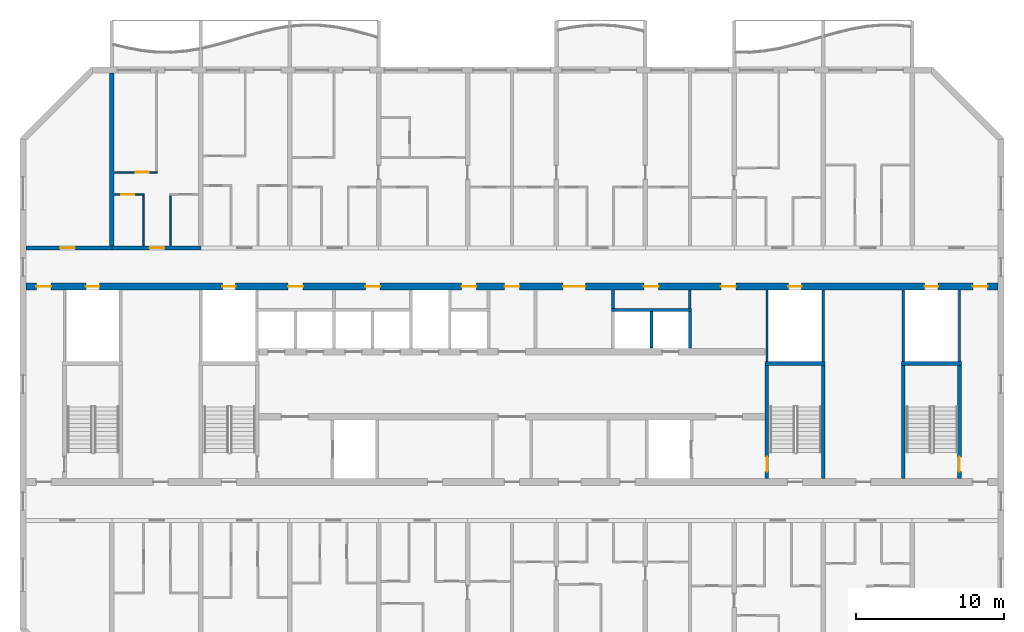
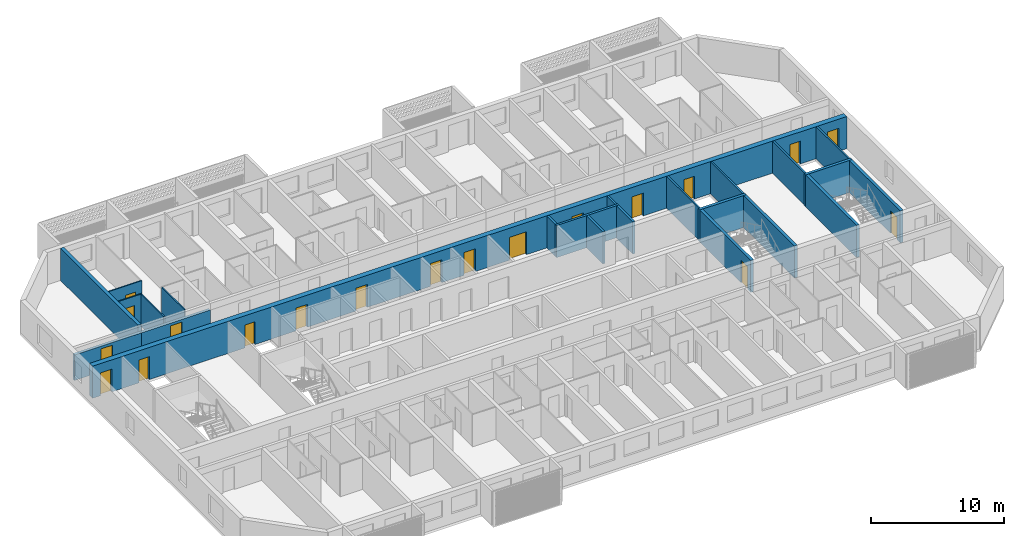
# One storey, part 7 of 26: 23 walls, 19 doors, 19 openings.
"""IFC4 building model written with IfcOpenShell, lengths in metres."""

import ifcopenshell
import ifcopenshell.guid

model = None  # the IFC model being written
_history = None  # IfcOwnerHistory: only IFC2X3 demands one
_inside = {}  # id of a spatial element -> (the spatial element, [elements in it])
_under = {}  # id of a project, library or spatial element -> (it, [spatial elements below it])
_declared = {}  # id of a project -> (the project, [libraries it declares])
_typed = {}  # id of a type object -> (the type object, [elements of that type])
_made_of = {}  # id of a material, layer set ... -> (it, [elements and type objects made of it])


def new_model(schema):
    """Start an empty IFC model of exactly this schema.

    Asked for "IFC4X3", IfcOpenShell would pick the latest addendum, in which some entities
    have other attributes; the version numbers below select the first issue.
    IFC2X3 requires an IfcOwnerHistory on every rooted entity: one is made here for all.
    """
    global model, _history
    if schema == "IFC4X3":
        model = ifcopenshell.file(schema_version=(4, 3, 0, 0))
    else:
        model = ifcopenshell.file(schema=schema)
    _inside.clear()
    _under.clear()
    _declared.clear()
    _typed.clear()
    _made_of.clear()
    _history = None
    if model.schema == "IFC2X3":
        org = make("IfcOrganization", Name="unknown")
        user = make(
            "IfcPersonAndOrganization",
            ThePerson=make("IfcPerson", FamilyName="unknown"),
            TheOrganization=org,
        )
        app = make(
            "IfcApplication",
            ApplicationDeveloper=org,
            Version="unknown",
            ApplicationFullName="unknown",
            ApplicationIdentifier="unknown",
        )
        _history = make(
            "IfcOwnerHistory",
            OwningUser=user,
            OwningApplication=app,
            ChangeAction="ADDED",
            CreationDate=0,
        )
    return model


def make(cls, **values):
    """One entity of the class cls with the attributes given. An attribute that is None is left unset."""
    return model.create_entity(
        cls, **{name: value for name, value in values.items() if value is not None}
    )


def rooted(cls, **values):
    """An entity with a GlobalId (a new one), such as an element, a storey or a relation."""
    return make(cls, GlobalId=ifcopenshell.guid.new(), OwnerHistory=_history, **values)


def si_unit(unit_type, name, prefix=None):
    """IfcSIUnit, for example si_unit("LENGTHUNIT", "METRE", prefix="MILLI")."""
    return make("IfcSIUnit", UnitType=unit_type, Prefix=prefix, Name=name)


def assignment(units):
    """IfcUnitAssignment: the units of a project."""
    return None if units is None else make("IfcUnitAssignment", Units=units)


def point(xyz):
    """IfcCartesianPoint."""
    return None if xyz is None else make("IfcCartesianPoint", Coordinates=xyz)


def direction(xyz):
    """IfcDirection."""
    return None if xyz is None else make("IfcDirection", DirectionRatios=xyz)


def frame(location, z_axis=None, x_axis=None):
    """IfcAxis2Placement3D, a coordinate frame: its origin and axes. An axis left out is left unset."""
    return make(
        "IfcAxis2Placement3D",
        Location=point(location),
        Axis=direction(z_axis),
        RefDirection=direction(x_axis),
    )


def frame_2d(location, x_axis=None):
    """IfcAxis2Placement2D, a coordinate frame in the plane: its origin and x axis."""
    return make(
        "IfcAxis2Placement2D", Location=point(location), RefDirection=direction(x_axis)
    )


def origin():
    """The frame at (0, 0, 0) with its axes left unset."""
    return frame((0.0, 0.0, 0.0))


def place(relative_to, where):
    """IfcLocalPlacement: puts the frame where relative to a parent placement (None: the world)."""
    return make(
        "IfcLocalPlacement", PlacementRelTo=relative_to, RelativePlacement=where
    )


def context(
    kind, dimensions, precision=None, world=None, true_north=None, identifier=None
):
    """IfcGeometricRepresentationContext, for example the 3D "Model" context."""
    return make(
        "IfcGeometricRepresentationContext",
        ContextIdentifier=identifier,
        ContextType=kind,
        CoordinateSpaceDimension=dimensions,
        Precision=precision,
        WorldCoordinateSystem=world,
        TrueNorth=true_north,
    )


def subcontext(parent, identifier, kind, view, scale=None):
    """IfcGeometricRepresentationSubContext, for example "Body" below "Model"."""
    return make(
        "IfcGeometricRepresentationSubContext",
        ContextIdentifier=identifier,
        ContextType=kind,
        ParentContext=parent,
        TargetScale=scale,
        TargetView=view,
    )


def project(units=None, contexts=None):
    """IfcProject with its units and contexts."""
    return rooted(
        "IfcProject",
        Name="project",
        RepresentationContexts=contexts,
        UnitsInContext=assignment(units),
    )


def spatial(cls, under=None, at=None, **own):
    """A site, building, storey or space (cls), placed at a placement, below another one or the project."""
    s = rooted(cls, ObjectPlacement=at, **own)
    if under is not None:
        _under.setdefault(under.id(), (under, []))[1].append(s)
    return s


def profile(cls, at=None, kind="AREA", **sizes):
    """A parametric profile (cls). Its sizes go by their IFC names, for example OverallWidth=200.0."""
    return make(cls, ProfileType=kind, Position=at, **sizes)


def rectangle(**sizes):
    """IfcRectangleProfileDef."""
    return profile("IfcRectangleProfileDef", **sizes)


def extrude(swept, where, along, depth):
    """IfcExtrudedAreaSolid: the profile swept, set in the frame where, extruded along a direction by depth."""
    return make(
        "IfcExtrudedAreaSolid",
        SweptArea=swept,
        Position=where,
        ExtrudedDirection=direction(along),
        Depth=depth,
    )


def shape(context_of_items, identifier, shape_type, items):
    """IfcShapeRepresentation: the items that make up one representation, for example the "Body"."""
    return make(
        "IfcShapeRepresentation",
        ContextOfItems=context_of_items,
        RepresentationIdentifier=identifier,
        RepresentationType=shape_type,
        Items=items,
    )


def material(Name=None, Category=None):
    """IfcMaterial."""
    return make("IfcMaterial", Name=Name, Category=Category)


def layer(
    of_material, thickness, ventilated=None, Name=None, Category=None, Priority=None
):
    """IfcMaterialLayer: one layer of a wall or slab, of a material (None: an air gap)."""
    return make(
        "IfcMaterialLayer",
        Material=of_material,
        LayerThickness=thickness,
        IsVentilated=ventilated,
        Name=Name,
        Category=Category,
        Priority=Priority,
    )


def layer_set(layers, Name=None):
    """IfcMaterialLayerSet."""
    return make("IfcMaterialLayerSet", MaterialLayers=layers, LayerSetName=Name)


def made_of(thing, what):
    """Note that an element or type object is made of a material, layer set ...; save() writes the relation."""
    if what is not None:
        _made_of.setdefault(what.id(), (what, []))[1].append(thing)
    return thing


def type_object(cls, material=None, **own):
    """A type object (cls), such as IfcWallType, which elements share."""
    return made_of(rooted(cls, **own), material)


def element(
    cls,
    number,
    at=None,
    inside=None,
    cuts=None,
    type_object=None,
    material=None,
    context=None,
    identifier="Body",
    shape_type=None,
    held_by="IfcProductDefinitionShape",
    body=None,
    shapes=None,
    **own,
):
    """One element of the class cls, such as IfcWall. Its Tag is "e" and its number.

    at: its placement. inside: the storey or other place that contains it. cuts: it is an
    opening in that element (IfcRelVoidsElement). A single representation is given by context,
    identifier, shape_type and body (its items); several are given by shapes. held_by: the class
    of the entity that holds the representations. save() writes the other relations.
    """
    e = rooted(cls, Tag="e%d" % number, ObjectPlacement=at, **own)
    if body is not None:
        shapes = [shape(context, identifier, shape_type, body)]
    if shapes is not None:
        e.Representation = make(held_by, Representations=shapes)
    if inside is not None:
        _inside.setdefault(inside.id(), (inside, []))[1].append(e)
    if cuts is not None:
        rooted(
            "IfcRelVoidsElement", RelatingBuildingElement=cuts, RelatedOpeningElement=e
        )
    if type_object is not None:
        _typed.setdefault(type_object.id(), (type_object, []))[1].append(e)
    return made_of(e, material)


def fill(opening, filler):
    """IfcRelFillsElement: the door or window that sits in an opening."""
    return rooted(
        "IfcRelFillsElement",
        RelatingOpeningElement=opening,
        RelatedBuildingElement=filler,
    )


def aggregate(whole, parts):
    """IfcRelAggregates: a whole, such as a stair, and the parts it consists of."""
    return rooted("IfcRelAggregates", RelatingObject=whole, RelatedObjects=parts)


def save(model, path):
    """Write the relations noted so far, then the file.

    IfcRelAggregates (storeys below a building ...), IfcRelContainedInSpatialStructure (elements
    in a storey), IfcRelDefinesByType, IfcRelAssociatesMaterial and IfcRelDeclares: one each for
    every whole, place, type object, material and project.
    """
    for whole, parts in _under.values():
        aggregate(whole, parts)
    for where, things in _inside.values():
        rooted(
            "IfcRelContainedInSpatialStructure",
            RelatedElements=things,
            RelatingStructure=where,
        )
    for kind, things in _typed.values():
        rooted("IfcRelDefinesByType", RelatedObjects=things, RelatingType=kind)
    for what, things in _made_of.values():
        rooted("IfcRelAssociatesMaterial", RelatedObjects=things, RelatingMaterial=what)
    for by, libraries in _declared.values():
        rooted("IfcRelDeclares", RelatingContext=by, RelatedDefinitions=libraries)
    model.write(path)


model = new_model("IFC4")

# Units and contexts
model_context = context("Model", 3, precision=1e-05, world=origin(), true_north=direction((0.0, 1.0)))
body_context = subcontext(model_context, "Body", "Model", "MODEL_VIEW")
ifc_project = project(units=[si_unit("LENGTHUNIT", "METRE"), si_unit("AREAUNIT", "SQUARE_METRE"), si_unit("VOLUMEUNIT", "CUBIC_METRE"), si_unit("PLANEANGLEUNIT", "RADIAN"), si_unit("MASSUNIT", "GRAM", prefix="KILO")], contexts=[model_context])

# Site, building, storey
site_placement = place(None, origin())
site = spatial("IfcSite", under=ifc_project, at=site_placement, CompositionType="ELEMENT")
building_placement = place(site_placement, origin())
building = spatial("IfcBuilding", under=site, at=building_placement, Name="Poui Terraces", CompositionType="ELEMENT")
storey_placement = place(building_placement, frame((0.0, 0.0, 162.0)))
storey = spatial("IfcBuildingStorey", under=building, at=storey_placement, Name="L45", CompositionType="ELEMENT", Elevation=162.0)

# Wall, opening, door
ifc_material_1 = material(Name="Concrete 65 MPa", Category="concrete")
ifc_layer_1 = layer(ifc_material_1, 0.25)
ifc_layer_set_1 = layer_set([ifc_layer_1], Name="Concrete 65 MPa")
wall_type_1 = type_object("IfcWallType", Name="CORRIDOR WALL 250 65MPa", PredefinedType="SHEAR", material=ifc_layer_set_1)
wall_1_placement = place(storey_placement, frame((18.199951171875, 30.39990234375, 0.0), z_axis=(0.0, 0.0, 1.0), x_axis=(1.0, 0.0, 0.0)))
wall_1 = element("IfcWall", 1, at=wall_1_placement, inside=storey, type_object=wall_type_1, Name="CORRIDOR WALL LINE E BAY 1", PredefinedType="SHEAR", context=body_context, shape_type="SweptSolid", body=[
    extrude(rectangle(XDim=5.800048828125, YDim=0.25, at=frame_2d((2.89990234375, 0.0))), origin(), (0.0, 0.0, 1.0), 2.35009765625),
])
opening_1_placement = place(wall_1_placement, frame((2.300048828125, 0.0, 0.0)))
opening_1 = element("IfcOpeningElement", 2, at=opening_1_placement, cuts=wall_1, Name="Opening D100", PredefinedType="OPENING", context=body_context, shape_type="SweptSolid", body=[
    extrude(rectangle(XDim=1.0, YDim=2.10009765625, at=frame_2d((0.5, 1.050048828125))), frame((0.0, 0.135009765625, 0.0), z_axis=(0.0, -1.0, 0.0), x_axis=(1.0, 0.0, 0.0)), (0.0, 0.0, 1.0), 0.27001953125),
])
ifc_material_2 = material(Name="Solid core timber door", Category="wood")
door_type_1 = type_object("IfcDoorType", Name="ACCESSIBLE INTERNAL DOOR 1000 X 2100", OperationType="NOTDEFINED", PredefinedType="DOOR", material=ifc_material_2)
door_1_placement = place(opening_1_placement, origin())
door_1 = element("IfcDoor", 3, at=door_1_placement, inside=storey, type_object=door_type_1, Name="ACCESSIBLE INTERNAL DOOR 024", OperationType="SINGLE_SWING_LEFT", OverallHeight=2.10009765625, OverallWidth=1.0, PredefinedType="DOOR", context=body_context, shape_type="SweptSolid", body=[
    extrude(rectangle(XDim=1.0, YDim=2.10009765625, at=frame_2d((0.5, 1.050048828125))), frame((0.0, 0.02490234375, 0.0), z_axis=(0.0, -1.0, 0.0), x_axis=(1.0, 0.0, 0.0)), (0.0, 0.0, 1.0), 0.050048828125),
])
fill(opening_1, door_1)

wall_2_placement = place(storey_placement, frame((24.0, 30.39990234375, 0.0), z_axis=(0.0, 0.0, 1.0), x_axis=(1.0, 0.0, 0.0)))
wall_2 = element("IfcWall", 4, at=wall_2_placement, inside=storey, type_object=wall_type_1, Name="CORRIDOR WALL LINE E BAY 2", PredefinedType="SHEAR", context=body_context, shape_type="SweptSolid", body=[
    extrude(rectangle(XDim=6.0, YDim=0.25, at=frame_2d((3.0, 0.0))), origin(), (0.0, 0.0, 1.0), 2.35009765625),
])
opening_2_placement = place(wall_2_placement, frame((2.550048828125, 0.0, 0.0)))
opening_2 = element("IfcOpeningElement", 5, at=opening_2_placement, cuts=wall_2, Name="Opening FD30S", PredefinedType="OPENING", context=body_context, shape_type="SweptSolid", body=[
    extrude(rectangle(XDim=1.0, YDim=2.10009765625, at=frame_2d((0.5, 1.050048828125))), frame((0.0, 0.135009765625, 0.0), z_axis=(0.0, -1.0, 0.0), x_axis=(1.0, 0.0, 0.0)), (0.0, 0.0, 1.0), 0.27001953125),
])
ifc_material_3 = material(Name="Steel fire door", Category="steel")
door_type_2 = type_object("IfcDoorType", Name="FLAT ENTRANCE DOOR 1000 X 2100", OperationType="NOTDEFINED", PredefinedType="DOOR", material=ifc_material_3)
door_2_placement = place(opening_2_placement, origin())
door_2 = element("IfcDoor", 6, at=door_2_placement, inside=storey, type_object=door_type_2, Name="FLAT ENTRANCE DOOR 027", OperationType="SINGLE_SWING_RIGHT", OverallHeight=2.10009765625, OverallWidth=1.0, PredefinedType="DOOR", context=body_context, shape_type="SweptSolid", body=[
    extrude(rectangle(XDim=1.0, YDim=2.10009765625, at=frame_2d((0.5, 1.050048828125))), frame((0.0, 0.02490234375, 0.0), z_axis=(0.0, -1.0, 0.0), x_axis=(1.0, 0.0, 0.0)), (0.0, 0.0, 1.0), 0.050048828125),
])
fill(opening_2, door_2)

# Wall
ifc_layer_2 = layer(ifc_material_1, 0.300048828125)
ifc_layer_set_2 = layer_set([ifc_layer_2], Name="Concrete 65 MPa")
wall_type_2 = type_object("IfcWallType", Name="CROSS WALL 300 65MPa", PredefinedType="SHEAR", material=ifc_layer_set_2)
wall_3_placement = place(storey_placement, frame((24.0, 30.52490234375, 0.0), z_axis=(0.0, 0.0, 1.0), x_axis=(0.0, 1.0, 0.0)))
element("IfcWall", 7, at=wall_3_placement, inside=storey, type_object=wall_type_2, Name="CROSS WALL LINE 5 NORTH", PredefinedType="SHEAR", context=body_context, shape_type="SweptSolid", body=[
    extrude(rectangle(XDim=11.675048828125, YDim=0.300048828125, at=frame_2d((5.83740234375, 0.0))), origin(), (0.0, 0.0, 1.0), 2.949951171875),
])

# Wall, opening, door
ifc_material_4 = material(Name="Plasterboard partition")
ifc_layer_3 = layer(ifc_material_4, 0.10009765625)
ifc_layer_set_3 = layer_set([ifc_layer_3], Name="Plasterboard partition")
wall_type_3 = type_object("IfcWallType", Name="FLAT PARTITION 100", PredefinedType="PARTITIONING", material=ifc_layer_set_3)
wall_4_placement = place(storey_placement, frame((24.159912109375, 34.0, 0.0), z_axis=(0.0, 0.0, 1.0), x_axis=(1.0, 0.0, 0.0)))
wall_4 = element("IfcWall", 8, at=wall_4_placement, inside=storey, type_object=wall_type_3, Name="FLAT PARTITION 100", PredefinedType="PARTITIONING", context=body_context, shape_type="SweptSolid", body=[
    extrude(rectangle(XDim=2.0400390625, YDim=0.10009765625, at=frame_2d((1.02001953125, 0.0))), origin(), (0.0, 0.0, 1.0), 2.949951171875),
])
opening_3_placement = place(wall_4_placement, frame((0.465087890625, 0.0, 0.0)))
opening_3 = element("IfcOpeningElement", 9, at=opening_3_placement, cuts=wall_4, Name="Opening D90", PredefinedType="OPENING", context=body_context, shape_type="SweptSolid", body=[
    extrude(rectangle(XDim=0.89990234375, YDim=2.10009765625, at=frame_2d((0.449951171875, 1.050048828125))), frame((0.0, 0.06005859375, 0.0), z_axis=(0.0, -1.0, 0.0), x_axis=(1.0, 0.0, 0.0)), (0.0, 0.0, 1.0), 0.1201171875),
])
door_type_3 = type_object("IfcDoorType", Name="INTERNAL DOOR 900 X 2100", OperationType="NOTDEFINED", PredefinedType="DOOR", material=ifc_material_2)
door_3_placement = place(opening_3_placement, frame((0.89990234375, 0.0, 0.0), z_axis=(0.0, 0.0, 1.0), x_axis=(-1.0, 0.0, 0.0)))
door_3 = element("IfcDoor", 10, at=door_3_placement, inside=storey, type_object=door_type_3, Name="INTERNAL DOOR 025", OperationType="SINGLE_SWING_LEFT", OverallHeight=2.10009765625, OverallWidth=0.89990234375, PredefinedType="DOOR", context=body_context, shape_type="SweptSolid", body=[
    extrude(rectangle(XDim=0.89990234375, YDim=2.10009765625, at=frame_2d((0.449951171875, 1.050048828125))), frame((0.0, 0.02490234375, 0.0), z_axis=(0.0, -1.0, 0.0), x_axis=(1.0, 0.0, 0.0)), (0.0, 0.0, 1.0), 0.050048828125),
])
fill(opening_3, door_3)

wall_5_placement = place(storey_placement, frame((24.159912109375, 35.5, 0.0), z_axis=(0.0, 0.0, 1.0), x_axis=(1.0, 0.0, 0.0)))
wall_5 = element("IfcWall", 11, at=wall_5_placement, inside=storey, type_object=wall_type_3, Name="FLAT PARTITION 100", PredefinedType="PARTITIONING", context=body_context, shape_type="SweptSolid", body=[
    extrude(rectangle(XDim=2.89013671875, YDim=0.10009765625, at=frame_2d((1.445068359375, 0.0))), origin(), (0.0, 0.0, 1.0), 2.949951171875),
])
opening_4_placement = place(wall_5_placement, frame((1.43994140625, 0.0, 0.0)))
opening_4 = element("IfcOpeningElement", 12, at=opening_4_placement, cuts=wall_5, Name="Opening D90", PredefinedType="OPENING", context=body_context, shape_type="SweptSolid", body=[
    extrude(rectangle(XDim=0.89990234375, YDim=2.10009765625, at=frame_2d((0.449951171875, 1.050048828125))), frame((0.0, 0.06005859375, 0.0), z_axis=(0.0, -1.0, 0.0), x_axis=(1.0, 0.0, 0.0)), (0.0, 0.0, 1.0), 0.1201171875),
])
door_4_placement = place(opening_4_placement, frame((0.89990234375, 0.0, 0.0), z_axis=(0.0, 0.0, 1.0), x_axis=(-1.0, 0.0, 0.0)))
door_4 = element("IfcDoor", 13, at=door_4_placement, inside=storey, type_object=door_type_3, Name="INTERNAL DOOR 026", OperationType="SINGLE_SWING_RIGHT", OverallHeight=2.10009765625, OverallWidth=0.89990234375, PredefinedType="DOOR", context=body_context, shape_type="SweptSolid", body=[
    extrude(rectangle(XDim=0.89990234375, YDim=2.10009765625, at=frame_2d((0.449951171875, 1.050048828125))), frame((0.0, 0.02490234375, 0.0), z_axis=(0.0, -1.0, 0.0), x_axis=(1.0, 0.0, 0.0)), (0.0, 0.0, 1.0), 0.050048828125),
])
fill(opening_4, door_4)

# Walls
for number, where, z_axis, x_axis, name in (
    (14, (26.14990234375, 30.534912109375, 0.0), (0.0, 0.0, 1.0), (0.0, 1.0, 0.0), "FLAT PARTITION 100"),
    (15, (27.949951171875, 30.534912109375, 0.0), (0.0, 0.0, 1.0), (0.0, 1.0, 0.0), "FLAT PARTITION 100"),
):
    element("IfcWall", number, at=place(storey_placement, frame(where, z_axis=z_axis, x_axis=x_axis)), inside=storey, type_object=wall_type_3, Name=name, PredefinedType="PARTITIONING", context=body_context, shape_type="SweptSolid", body=[
        extrude(rectangle(XDim=3.4150390625, YDim=0.10009765625, at=frame_2d((1.70751953125, 0.0))), origin(), (0.0, 0.0, 1.0), 2.949951171875),
    ])
ifc_layer_4 = layer(ifc_material_4, 0.14990234375)
ifc_layer_set_4 = layer_set([ifc_layer_4], Name="Plasterboard partition")
wall_type_4 = type_object("IfcWallType", Name="PARTITION WALL 150", PredefinedType="PARTITIONING", material=ifc_layer_set_4)
wall_6_placement = place(storey_placement, frame((63.0, 26.300048828125, 0.0), z_axis=(0.0, 0.0, 1.0), x_axis=(0.0, 1.0, 0.0)))
element("IfcWall", 16, at=wall_6_placement, inside=storey, type_object=wall_type_4, Name="PARTITION WALL 150", PredefinedType="PARTITIONING", context=body_context, shape_type="SweptSolid", body=[
    extrude(rectangle(XDim=1.264892578125, YDim=0.14990234375, at=frame_2d((0.63232421875, 0.0))), origin(), (0.0, 0.0, 1.0), 2.949951171875),
])
ifc_material_5 = material(Name="Fire-rated masonry wall", Category="masonry")
ifc_layer_5 = layer(ifc_material_5, 0.199951171875)
ifc_layer_set_5 = layer_set([ifc_layer_5], Name="Fire-rated masonry wall")
wall_type_5 = type_object("IfcWallType", Name="PLANT ROOM WALL 200", PredefinedType="PARTITIONING", material=ifc_layer_set_5)
wall_7_placement = place(storey_placement, frame((57.800048828125, 26.300048828125, 0.0), z_axis=(0.0, 0.0, 1.0), x_axis=(0.0, 1.0, 0.0)))
element("IfcWall", 17, at=wall_7_placement, inside=storey, type_object=wall_type_5, Name="PLANT ROOM WALL 200", PredefinedType="PARTITIONING", context=body_context, shape_type="SweptSolid", body=[
    extrude(rectangle(XDim=1.264892578125, YDim=0.199951171875, at=frame_2d((0.63232421875, 0.0))), origin(), (0.0, 0.0, 1.0), 2.949951171875),
])
ifc_material_6 = material(Name="Fire-rated plasterboard riser wall")
ifc_layer_6 = layer(ifc_material_6, 0.14990234375)
ifc_layer_set_6 = layer_set([ifc_layer_6], Name="Fire-rated plasterboard riser wall")
wall_type_6 = type_object("IfcWallType", Name="RISER WALL 150", PredefinedType="PARTITIONING", material=ifc_layer_set_6)
for number, where, z_axis, x_axis, name in (
    (18, (68.199951171875, 22.735107421875, 0.0), (0.0, 0.0, 1.0), (0.0, 1.0, 0.0), "RISER WALL 150"),
    (19, (72.0, 22.735107421875, 0.0), (0.0, 0.0, 1.0), (0.0, 1.0, 0.0), "RISER WALL 150"),
    (20, (77.39990234375, 22.735107421875, 0.0), (0.0, 0.0, 1.0), (0.0, 1.0, 0.0), "RISER WALL 150"),
    (21, (81.199951171875, 22.735107421875, 0.0), (0.0, 0.0, 1.0), (0.0, 1.0, 0.0), "RISER WALL 150"),
):
    element("IfcWall", number, at=place(storey_placement, frame(where, z_axis=z_axis, x_axis=x_axis)), inside=storey, type_object=wall_type_6, Name=name, PredefinedType="PARTITIONING", context=body_context, shape_type="SweptSolid", body=[
        extrude(rectangle(XDim=4.829833984375, YDim=0.14990234375, at=frame_2d((2.4150390625, 0.0))), origin(), (0.0, 0.0, 1.0), 2.949951171875),
    ])
ifc_material_7 = material(Name="Fire-rated masonry shaft wall", Category="masonry")
ifc_layer_7 = layer(ifc_material_7, 0.199951171875)
ifc_layer_set_7 = layer_set([ifc_layer_7], Name="Fire-rated masonry shaft wall")
wall_type_7 = type_object("IfcWallType", Name="SHAFT WALL 200", PredefinedType="PARTITIONING", material=ifc_layer_set_7)
wall_8_placement = place(storey_placement, frame((57.699951171875, 26.199951171875, 0.0), z_axis=(0.0, 0.0, 1.0), x_axis=(1.0, 0.0, 0.0)))
element("IfcWall", 22, at=wall_8_placement, inside=storey, type_object=wall_type_7, Name="SHAFT WALL 200", PredefinedType="PARTITIONING", context=body_context, shape_type="SweptSolid", body=[
    extrude(rectangle(XDim=5.400146484375, YDim=0.199951171875, at=frame_2d((2.7001953125, 0.0))), origin(), (0.0, 0.0, 1.0), 2.949951171875),
])
for number, where, z_axis, x_axis, name in (
    (23, (60.39990234375, 23.635009765625, 0.0), (0.0, 0.0, 1.0), (0.0, 1.0, 0.0), "SHAFT WALL 200"),
    (24, (63.0, 23.635009765625, 0.0), (0.0, 0.0, 1.0), (0.0, 1.0, 0.0), "SHAFT WALL 200"),
):
    element("IfcWall", number, at=place(storey_placement, frame(where, z_axis=z_axis, x_axis=x_axis)), inside=storey, type_object=wall_type_7, Name=name, PredefinedType="PARTITIONING", context=body_context, shape_type="SweptSolid", body=[
        extrude(rectangle(XDim=2.465087890625, YDim=0.199951171875, at=frame_2d((1.232421875, 0.0))), origin(), (0.0, 0.0, 1.0), 2.949951171875),
    ])

# Wall, openings, doors
ifc_layer_8 = layer(ifc_material_1, 0.449951171875)
ifc_layer_set_8 = layer_set([ifc_layer_8], Name="Concrete 65 MPa")
wall_type_8 = type_object("IfcWallType", Name="SPINE WALL 450 65 MPA", PredefinedType="SOLIDWALL", material=ifc_layer_set_8)
wall_9_placement = place(storey_placement, frame((18.199951171875, 27.800048828125, 0.0), z_axis=(0.0, 0.0, 1.0), x_axis=(1.0, 0.0, 0.0)))
wall_9 = element("IfcWall", 25, at=wall_9_placement, inside=storey, type_object=wall_type_8, Name="SPINE WALL", PredefinedType="SOLIDWALL", context=body_context, shape_type="SweptSolid", body=[
    extrude(rectangle(XDim=65.60009765625, YDim=0.449951171875, at=frame_2d((32.800048828125, 0.0))), origin(), (0.0, 0.0, 1.0), 2.949951171875),
])
opening_5_placement = place(wall_9_placement, frame((0.699951171875, 0.0, 0.0)))
opening_5 = element("IfcOpeningElement", 26, at=opening_5_placement, cuts=wall_9, Name="Opening FDL", PredefinedType="OPENING", context=body_context, shape_type="SweptSolid", body=[
    extrude(rectangle(XDim=1.0, YDim=2.10009765625, at=frame_2d((0.5, 1.050048828125))), frame((0.0, 0.23486328125, 0.0), z_axis=(0.0, -1.0, 0.0), x_axis=(1.0, 0.0, 0.0)), (0.0, 0.0, 1.0), 0.469970703125),
])
opening_6_placement = place(wall_9_placement, frame((4.050048828125, 0.0, 0.0)))
opening_6 = element("IfcOpeningElement", 27, at=opening_6_placement, cuts=wall_9, Name="Opening FDR", PredefinedType="OPENING", context=body_context, shape_type="SweptSolid", body=[
    extrude(rectangle(XDim=0.89990234375, YDim=2.10009765625, at=frame_2d((0.449951171875, 1.050048828125))), frame((0.0, 0.23486328125, 0.0), z_axis=(0.0, -1.0, 0.0), x_axis=(1.0, 0.0, 0.0)), (0.0, 0.0, 1.0), 0.469970703125),
])
opening_7_placement = place(wall_9_placement, frame((13.25, 0.0, 0.0)))
opening_7 = element("IfcOpeningElement", 28, at=opening_7_placement, cuts=wall_9, Name="Opening FDR", PredefinedType="OPENING", context=body_context, shape_type="SweptSolid", body=[
    extrude(rectangle(XDim=0.89990234375, YDim=2.10009765625, at=frame_2d((0.449951171875, 1.050048828125))), frame((0.0, 0.23486328125, 0.0), z_axis=(0.0, -1.0, 0.0), x_axis=(1.0, 0.0, 0.0)), (0.0, 0.0, 1.0), 0.469970703125),
])
opening_8_placement = place(wall_9_placement, frame((17.699951171875, 0.0, 0.0)))
opening_8 = element("IfcOpeningElement", 29, at=opening_8_placement, cuts=wall_9, Name="Opening FD60", PredefinedType="OPENING", context=body_context, shape_type="SweptSolid", body=[
    extrude(rectangle(XDim=1.0, YDim=2.10009765625, at=frame_2d((0.5, 1.050048828125))), frame((0.0, 0.23486328125, 0.0), z_axis=(0.0, -1.0, 0.0), x_axis=(1.0, 0.0, 0.0)), (0.0, 0.0, 1.0), 0.469970703125),
])
opening_9_placement = place(wall_9_placement, frame((22.89990234375, 0.0, 0.0)))
opening_9 = element("IfcOpeningElement", 30, at=opening_9_placement, cuts=wall_9, Name="Opening FD60", PredefinedType="OPENING", context=body_context, shape_type="SweptSolid", body=[
    extrude(rectangle(XDim=1.0, YDim=2.10009765625, at=frame_2d((0.5, 1.050048828125))), frame((0.0, 0.23486328125, 0.0), z_axis=(0.0, -1.0, 0.0), x_axis=(1.0, 0.0, 0.0)), (0.0, 0.0, 1.0), 0.469970703125),
])
opening_10_placement = place(wall_9_placement, frame((29.39990234375, 0.0, 0.0)))
opening_10 = element("IfcOpeningElement", 31, at=opening_10_placement, cuts=wall_9, Name="Opening FD60", PredefinedType="OPENING", context=body_context, shape_type="SweptSolid", body=[
    extrude(rectangle(XDim=1.0, YDim=2.10009765625, at=frame_2d((0.5, 1.050048828125))), frame((0.0, 0.23486328125, 0.0), z_axis=(0.0, -1.0, 0.0), x_axis=(1.0, 0.0, 0.0)), (0.0, 0.0, 1.0), 0.469970703125),
])
opening_11_placement = place(wall_9_placement, frame((32.300048828125, 0.0, 0.0)))
opening_11 = element("IfcOpeningElement", 32, at=opening_11_placement, cuts=wall_9, Name="Opening FDL", PredefinedType="OPENING", context=body_context, shape_type="SweptSolid", body=[
    extrude(rectangle(XDim=1.0, YDim=2.10009765625, at=frame_2d((0.5, 1.050048828125))), frame((0.0, 0.23486328125, 0.0), z_axis=(0.0, -1.0, 0.0), x_axis=(1.0, 0.0, 0.0)), (0.0, 0.0, 1.0), 0.469970703125),
])
opening_12_placement = place(wall_9_placement, frame((36.25, 0.0, 0.0)))
opening_12 = element("IfcOpeningElement", 33, at=opening_12_placement, cuts=wall_9, Name="Opening FDP", PredefinedType="OPENING", context=body_context, shape_type="SweptSolid", body=[
    extrude(rectangle(XDim=1.5, YDim=2.10009765625, at=frame_2d((0.75, 1.050048828125))), frame((0.0, 0.23486328125, 0.0), z_axis=(0.0, -1.0, 0.0), x_axis=(1.0, 0.0, 0.0)), (0.0, 0.0, 1.0), 0.469970703125),
])
opening_13_placement = place(wall_9_placement, frame((41.699951171875, 0.0, 0.0)))
opening_13 = element("IfcOpeningElement", 34, at=opening_13_placement, cuts=wall_9, Name="Opening FD60", PredefinedType="OPENING", context=body_context, shape_type="SweptSolid", body=[
    extrude(rectangle(XDim=1.0, YDim=2.10009765625, at=frame_2d((0.5, 1.050048828125))), frame((0.0, 0.23486328125, 0.0), z_axis=(0.0, -1.0, 0.0), x_axis=(1.0, 0.0, 0.0)), (0.0, 0.0, 1.0), 0.469970703125),
])
opening_14_placement = place(wall_9_placement, frame((46.89990234375, 0.0, 0.0)))
opening_14 = element("IfcOpeningElement", 35, at=opening_14_placement, cuts=wall_9, Name="Opening FD60", PredefinedType="OPENING", context=body_context, shape_type="SweptSolid", body=[
    extrude(rectangle(XDim=1.0, YDim=2.10009765625, at=frame_2d((0.5, 1.050048828125))), frame((0.0, 0.23486328125, 0.0), z_axis=(0.0, -1.0, 0.0), x_axis=(1.0, 0.0, 0.0)), (0.0, 0.0, 1.0), 0.469970703125),
])
opening_15_placement = place(wall_9_placement, frame((51.449951171875, 0.0, 0.0)))
opening_15 = element("IfcOpeningElement", 36, at=opening_15_placement, cuts=wall_9, Name="Opening FDR", PredefinedType="OPENING", context=body_context, shape_type="SweptSolid", body=[
    extrude(rectangle(XDim=0.89990234375, YDim=2.10009765625, at=frame_2d((0.449951171875, 1.050048828125))), frame((0.0, 0.23486328125, 0.0), z_axis=(0.0, -1.0, 0.0), x_axis=(1.0, 0.0, 0.0)), (0.0, 0.0, 1.0), 0.469970703125),
])
opening_16_placement = place(wall_9_placement, frame((60.64990234375, 0.0, 0.0)))
opening_16 = element("IfcOpeningElement", 37, at=opening_16_placement, cuts=wall_9, Name="Opening FDR", PredefinedType="OPENING", context=body_context, shape_type="SweptSolid", body=[
    extrude(rectangle(XDim=0.89990234375, YDim=2.10009765625, at=frame_2d((0.449951171875, 1.050048828125))), frame((0.0, 0.23486328125, 0.0), z_axis=(0.0, -1.0, 0.0), x_axis=(1.0, 0.0, 0.0)), (0.0, 0.0, 1.0), 0.469970703125),
])
opening_17_placement = place(wall_9_placement, frame((63.89990234375, 0.0, 0.0)))
opening_17 = element("IfcOpeningElement", 38, at=opening_17_placement, cuts=wall_9, Name="Opening FDL", PredefinedType="OPENING", context=body_context, shape_type="SweptSolid", body=[
    extrude(rectangle(XDim=1.0, YDim=2.10009765625, at=frame_2d((0.5, 1.050048828125))), frame((0.0, 0.23486328125, 0.0), z_axis=(0.0, -1.0, 0.0), x_axis=(1.0, 0.0, 0.0)), (0.0, 0.0, 1.0), 0.469970703125),
])
door_type_4 = type_object("IfcDoorType", Name="LOBBY FIRE DOOR 1000 X 2100", OperationType="NOTDEFINED", PredefinedType="DOOR", material=ifc_material_3)
door_5_placement = place(opening_5_placement, origin())
door_5 = element("IfcDoor", 39, at=door_5_placement, inside=storey, type_object=door_type_4, Name="LOBBY FIRE DOOR 001", OperationType="SINGLE_SWING_LEFT", OverallHeight=2.10009765625, OverallWidth=1.0, PredefinedType="DOOR", context=body_context, shape_type="SweptSolid", body=[
    extrude(rectangle(XDim=1.0, YDim=2.10009765625, at=frame_2d((0.5, 1.050048828125))), frame((0.0, 0.02490234375, 0.0), z_axis=(0.0, -1.0, 0.0), x_axis=(1.0, 0.0, 0.0)), (0.0, 0.0, 1.0), 0.050048828125),
])
fill(opening_5, door_5)
door_6_placement = place(opening_11_placement, origin())
door_6 = element("IfcDoor", 40, at=door_6_placement, inside=storey, type_object=door_type_4, Name="LOBBY FIRE DOOR 007", OperationType="SINGLE_SWING_RIGHT", OverallHeight=2.10009765625, OverallWidth=1.0, PredefinedType="DOOR", context=body_context, shape_type="SweptSolid", body=[
    extrude(rectangle(XDim=1.0, YDim=2.10009765625, at=frame_2d((0.5, 1.050048828125))), frame((0.0, 0.02490234375, 0.0), z_axis=(0.0, -1.0, 0.0), x_axis=(1.0, 0.0, 0.0)), (0.0, 0.0, 1.0), 0.050048828125),
])
fill(opening_11, door_6)
door_7_placement = place(opening_17_placement, origin())
door_7 = element("IfcDoor", 41, at=door_7_placement, inside=storey, type_object=door_type_4, Name="LOBBY FIRE DOOR 013", OperationType="SINGLE_SWING_RIGHT", OverallHeight=2.10009765625, OverallWidth=1.0, PredefinedType="DOOR", context=body_context, shape_type="SweptSolid", body=[
    extrude(rectangle(XDim=1.0, YDim=2.10009765625, at=frame_2d((0.5, 1.050048828125))), frame((0.0, 0.02490234375, 0.0), z_axis=(0.0, -1.0, 0.0), x_axis=(1.0, 0.0, 0.0)), (0.0, 0.0, 1.0), 0.050048828125),
])
fill(opening_17, door_7)
door_type_5 = type_object("IfcDoorType", Name="PLANT ROOM DOOR PAIR 1500 X 2100", OperationType="DOUBLE_DOOR_SINGLE_SWING", PredefinedType="DOOR", material=ifc_material_3)
door_8_placement = place(opening_12_placement, origin())
door_8 = element("IfcDoor", 42, at=door_8_placement, inside=storey, type_object=door_type_5, Name="PLANT ROOM DOOR PAIR 008", OperationType="DOUBLE_DOOR_SINGLE_SWING", OverallHeight=2.10009765625, OverallWidth=1.5, PredefinedType="DOOR", context=body_context, shape_type="SweptSolid", body=[
    extrude(rectangle(XDim=1.5, YDim=2.10009765625, at=frame_2d((0.75, 1.050048828125))), frame((0.0, 0.02490234375, 0.0), z_axis=(0.0, -1.0, 0.0), x_axis=(1.0, 0.0, 0.0)), (0.0, 0.0, 1.0), 0.050048828125),
])
fill(opening_12, door_8)
door_type_6 = type_object("IfcDoorType", Name="RISER CUPBOARD DOOR 900 X 2100", OperationType="NOTDEFINED", PredefinedType="DOOR", material=ifc_material_3)
door_9_placement = place(opening_6_placement, origin())
door_9 = element("IfcDoor", 43, at=door_9_placement, inside=storey, type_object=door_type_6, Name="RISER CUPBOARD DOOR 002", OperationType="SINGLE_SWING_LEFT", OverallHeight=2.10009765625, OverallWidth=0.89990234375, PredefinedType="DOOR", context=body_context, shape_type="SweptSolid", body=[
    extrude(rectangle(XDim=0.89990234375, YDim=2.10009765625, at=frame_2d((0.449951171875, 1.050048828125))), frame((0.0, 0.02490234375, 0.0), z_axis=(0.0, -1.0, 0.0), x_axis=(1.0, 0.0, 0.0)), (0.0, 0.0, 1.0), 0.050048828125),
])
fill(opening_6, door_9)
door_10_placement = place(opening_7_placement, origin())
door_10 = element("IfcDoor", 44, at=door_10_placement, inside=storey, type_object=door_type_6, Name="RISER CUPBOARD DOOR 003", OperationType="SINGLE_SWING_LEFT", OverallHeight=2.10009765625, OverallWidth=0.89990234375, PredefinedType="DOOR", context=body_context, shape_type="SweptSolid", body=[
    extrude(rectangle(XDim=0.89990234375, YDim=2.10009765625, at=frame_2d((0.449951171875, 1.050048828125))), frame((0.0, 0.02490234375, 0.0), z_axis=(0.0, -1.0, 0.0), x_axis=(1.0, 0.0, 0.0)), (0.0, 0.0, 1.0), 0.050048828125),
])
fill(opening_7, door_10)
door_11_placement = place(opening_15_placement, origin())
door_11 = element("IfcDoor", 45, at=door_11_placement, inside=storey, type_object=door_type_6, Name="RISER CUPBOARD DOOR 011", OperationType="SINGLE_SWING_RIGHT", OverallHeight=2.10009765625, OverallWidth=0.89990234375, PredefinedType="DOOR", context=body_context, shape_type="SweptSolid", body=[
    extrude(rectangle(XDim=0.89990234375, YDim=2.10009765625, at=frame_2d((0.449951171875, 1.050048828125))), frame((0.0, 0.02490234375, 0.0), z_axis=(0.0, -1.0, 0.0), x_axis=(1.0, 0.0, 0.0)), (0.0, 0.0, 1.0), 0.050048828125),
])
fill(opening_15, door_11)
door_12_placement = place(opening_16_placement, origin())
door_12 = element("IfcDoor", 46, at=door_12_placement, inside=storey, type_object=door_type_6, Name="RISER CUPBOARD DOOR 012", OperationType="SINGLE_SWING_RIGHT", OverallHeight=2.10009765625, OverallWidth=0.89990234375, PredefinedType="DOOR", context=body_context, shape_type="SweptSolid", body=[
    extrude(rectangle(XDim=0.89990234375, YDim=2.10009765625, at=frame_2d((0.449951171875, 1.050048828125))), frame((0.0, 0.02490234375, 0.0), z_axis=(0.0, -1.0, 0.0), x_axis=(1.0, 0.0, 0.0)), (0.0, 0.0, 1.0), 0.050048828125),
])
fill(opening_16, door_12)
door_type_7 = type_object("IfcDoorType", Name="SERVICE ROOM FIRE DOOR 1000 X 2100", OperationType="NOTDEFINED", PredefinedType="DOOR", material=ifc_material_3)
door_13_placement = place(opening_8_placement, origin())
door_13 = element("IfcDoor", 47, at=door_13_placement, inside=storey, type_object=door_type_7, Name="SERVICE ROOM FIRE DOOR 004", OperationType="SINGLE_SWING_RIGHT", OverallHeight=2.10009765625, OverallWidth=1.0, PredefinedType="DOOR", context=body_context, shape_type="SweptSolid", body=[
    extrude(rectangle(XDim=1.0, YDim=2.10009765625, at=frame_2d((0.5, 1.050048828125))), frame((0.0, 0.02490234375, 0.0), z_axis=(0.0, -1.0, 0.0), x_axis=(1.0, 0.0, 0.0)), (0.0, 0.0, 1.0), 0.050048828125),
])
fill(opening_8, door_13)
door_14_placement = place(opening_9_placement, origin())
door_14 = element("IfcDoor", 48, at=door_14_placement, inside=storey, type_object=door_type_7, Name="SERVICE ROOM FIRE DOOR 005", OperationType="SINGLE_SWING_LEFT", OverallHeight=2.10009765625, OverallWidth=1.0, PredefinedType="DOOR", context=body_context, shape_type="SweptSolid", body=[
    extrude(rectangle(XDim=1.0, YDim=2.10009765625, at=frame_2d((0.5, 1.050048828125))), frame((0.0, 0.02490234375, 0.0), z_axis=(0.0, -1.0, 0.0), x_axis=(1.0, 0.0, 0.0)), (0.0, 0.0, 1.0), 0.050048828125),
])
fill(opening_9, door_14)
door_15_placement = place(opening_10_placement, origin())
door_15 = element("IfcDoor", 49, at=door_15_placement, inside=storey, type_object=door_type_7, Name="SERVICE ROOM FIRE DOOR 006", OperationType="SINGLE_SWING_RIGHT", OverallHeight=2.10009765625, OverallWidth=1.0, PredefinedType="DOOR", context=body_context, shape_type="SweptSolid", body=[
    extrude(rectangle(XDim=1.0, YDim=2.10009765625, at=frame_2d((0.5, 1.050048828125))), frame((0.0, 0.02490234375, 0.0), z_axis=(0.0, -1.0, 0.0), x_axis=(1.0, 0.0, 0.0)), (0.0, 0.0, 1.0), 0.050048828125),
])
fill(opening_10, door_15)
door_16_placement = place(opening_13_placement, origin())
door_16 = element("IfcDoor", 50, at=door_16_placement, inside=storey, type_object=door_type_7, Name="SERVICE ROOM FIRE DOOR 009", OperationType="SINGLE_SWING_RIGHT", OverallHeight=2.10009765625, OverallWidth=1.0, PredefinedType="DOOR", context=body_context, shape_type="SweptSolid", body=[
    extrude(rectangle(XDim=1.0, YDim=2.10009765625, at=frame_2d((0.5, 1.050048828125))), frame((0.0, 0.02490234375, 0.0), z_axis=(0.0, -1.0, 0.0), x_axis=(1.0, 0.0, 0.0)), (0.0, 0.0, 1.0), 0.050048828125),
])
fill(opening_13, door_16)
door_17_placement = place(opening_14_placement, origin())
door_17 = element("IfcDoor", 51, at=door_17_placement, inside=storey, type_object=door_type_7, Name="SERVICE ROOM FIRE DOOR 010", OperationType="SINGLE_SWING_LEFT", OverallHeight=2.10009765625, OverallWidth=1.0, PredefinedType="DOOR", context=body_context, shape_type="SweptSolid", body=[
    extrude(rectangle(XDim=1.0, YDim=2.10009765625, at=frame_2d((0.5, 1.050048828125))), frame((0.0, 0.02490234375, 0.0), z_axis=(0.0, -1.0, 0.0), x_axis=(1.0, 0.0, 0.0)), (0.0, 0.0, 1.0), 0.050048828125),
])
fill(opening_14, door_17)

# Wall, opening, door
ifc_layer_9 = layer(ifc_material_1, 0.25)
ifc_layer_set_9 = layer_set([ifc_layer_9], Name="Concrete 65 MPa")
wall_type_9 = type_object("IfcWallType", Name="STAIR CORE WALL 250 65 MPA", PredefinedType="SOLIDWALL", material=ifc_layer_set_9)
wall_10_placement = place(storey_placement, frame((68.199951171875, 14.824951171875, 0.0), z_axis=(0.0, 0.0, 1.0), x_axis=(0.0, 1.0, 0.0)))
wall_10 = element("IfcWall", 52, at=wall_10_placement, inside=storey, type_object=wall_type_9, Name="STAIR CORE WALL", PredefinedType="SOLIDWALL", context=body_context, shape_type="SweptSolid", body=[
    extrude(rectangle(XDim=7.650146484375, YDim=0.25, at=frame_2d((3.8251953125, 0.0))), origin(), (0.0, 0.0, 1.0), 2.949951171875),
])
opening_18_placement = place(wall_10_placement, frame((0.47509765625, 0.0, 0.0)))
opening_18 = element("IfcOpeningElement", 53, at=opening_18_placement, cuts=wall_10, Name="Opening FD60S", PredefinedType="OPENING", context=body_context, shape_type="SweptSolid", body=[
    extrude(rectangle(XDim=1.0, YDim=2.10009765625, at=frame_2d((0.5, 1.050048828125))), frame((0.0, 0.135009765625, 0.0), z_axis=(0.0, -1.0, 0.0), x_axis=(1.0, 0.0, 0.0)), (0.0, 0.0, 1.0), 0.27001953125),
])
door_type_8 = type_object("IfcDoorType", Name="STAIR DOOR 1000 X 2100", OperationType="NOTDEFINED", PredefinedType="DOOR", material=ifc_material_3)
door_18_placement = place(opening_18_placement, frame((1.0, 0.0, 0.0), z_axis=(0.0, 0.0, 1.0), x_axis=(-1.0, 0.0, 0.0)))
door_18 = element("IfcDoor", 54, at=door_18_placement, inside=storey, type_object=door_type_8, Name="STAIR DOOR 096", OperationType="SINGLE_SWING_LEFT", OverallHeight=2.10009765625, OverallWidth=1.0, PredefinedType="DOOR", context=body_context, shape_type="SweptSolid", body=[
    extrude(rectangle(XDim=1.0, YDim=2.10009765625, at=frame_2d((0.5, 1.050048828125))), frame((0.0, 0.02490234375, 0.0), z_axis=(0.0, -1.0, 0.0), x_axis=(1.0, 0.0, 0.0)), (0.0, 0.0, 1.0), 0.050048828125),
])
fill(opening_18, door_18)

# Walls
wall_11_placement = place(storey_placement, frame((72.0, 14.824951171875, 0.0), z_axis=(0.0, 0.0, 1.0), x_axis=(0.0, 1.0, 0.0)))
element("IfcWall", 55, at=wall_11_placement, inside=storey, type_object=wall_type_9, Name="STAIR CORE WALL", PredefinedType="SOLIDWALL", context=body_context, shape_type="SweptSolid", body=[
    extrude(rectangle(XDim=7.650146484375, YDim=0.25, at=frame_2d((3.8251953125, 0.0))), origin(), (0.0, 0.0, 1.0), 2.949951171875),
])
wall_12_placement = place(storey_placement, frame((68.074951171875, 22.60009765625, 0.0), z_axis=(0.0, 0.0, 1.0), x_axis=(1.0, 0.0, 0.0)))
element("IfcWall", 56, at=wall_12_placement, inside=storey, type_object=wall_type_9, Name="STAIR CORE WALL", PredefinedType="SOLIDWALL", context=body_context, shape_type="SweptSolid", body=[
    extrude(rectangle(XDim=4.050048828125, YDim=0.25, at=frame_2d((2.02490234375, 0.0))), origin(), (0.0, 0.0, 1.0), 2.949951171875),
])
wall_13_placement = place(storey_placement, frame((77.39990234375, 14.824951171875, 0.0), z_axis=(0.0, 0.0, 1.0), x_axis=(0.0, 1.0, 0.0)))
element("IfcWall", 57, at=wall_13_placement, inside=storey, type_object=wall_type_9, Name="STAIR CORE WALL", PredefinedType="SOLIDWALL", context=body_context, shape_type="SweptSolid", body=[
    extrude(rectangle(XDim=7.650146484375, YDim=0.25, at=frame_2d((3.8251953125, 0.0))), origin(), (0.0, 0.0, 1.0), 2.949951171875),
])

# Wall, opening, door
wall_14_placement = place(storey_placement, frame((81.199951171875, 14.824951171875, 0.0), z_axis=(0.0, 0.0, 1.0), x_axis=(0.0, 1.0, 0.0)))
wall_14 = element("IfcWall", 58, at=wall_14_placement, inside=storey, type_object=wall_type_9, Name="STAIR CORE WALL", PredefinedType="SOLIDWALL", context=body_context, shape_type="SweptSolid", body=[
    extrude(rectangle(XDim=7.650146484375, YDim=0.25, at=frame_2d((3.8251953125, 0.0))), origin(), (0.0, 0.0, 1.0), 2.949951171875),
])
opening_19_placement = place(wall_14_placement, frame((0.47509765625, 0.0, 0.0)))
opening_19 = element("IfcOpeningElement", 59, at=opening_19_placement, cuts=wall_14, Name="Opening FD60S", PredefinedType="OPENING", context=body_context, shape_type="SweptSolid", body=[
    extrude(rectangle(XDim=1.0, YDim=2.10009765625, at=frame_2d((0.5, 1.050048828125))), frame((0.0, 0.135009765625, 0.0), z_axis=(0.0, -1.0, 0.0), x_axis=(1.0, 0.0, 0.0)), (0.0, 0.0, 1.0), 0.27001953125),
])
door_19_placement = place(opening_19_placement, origin())
door_19 = element("IfcDoor", 60, at=door_19_placement, inside=storey, type_object=door_type_8, Name="STAIR DOOR 110", OperationType="SINGLE_SWING_LEFT", OverallHeight=2.10009765625, OverallWidth=1.0, PredefinedType="DOOR", context=body_context, shape_type="SweptSolid", body=[
    extrude(rectangle(XDim=1.0, YDim=2.10009765625, at=frame_2d((0.5, 1.050048828125))), frame((0.0, 0.02490234375, 0.0), z_axis=(0.0, -1.0, 0.0), x_axis=(1.0, 0.0, 0.0)), (0.0, 0.0, 1.0), 0.050048828125),
])
fill(opening_19, door_19)

# Wall
wall_15_placement = place(storey_placement, frame((77.27490234375, 22.60009765625, 0.0), z_axis=(0.0, 0.0, 1.0), x_axis=(1.0, 0.0, 0.0)))
element("IfcWall", 61, at=wall_15_placement, inside=storey, type_object=wall_type_9, Name="STAIR CORE WALL", PredefinedType="SOLIDWALL", context=body_context, shape_type="SweptSolid", body=[
    extrude(rectangle(XDim=4.050048828125, YDim=0.25, at=frame_2d((2.02490234375, 0.0))), origin(), (0.0, 0.0, 1.0), 2.949951171875),
])

save(model, "model.ifc")
